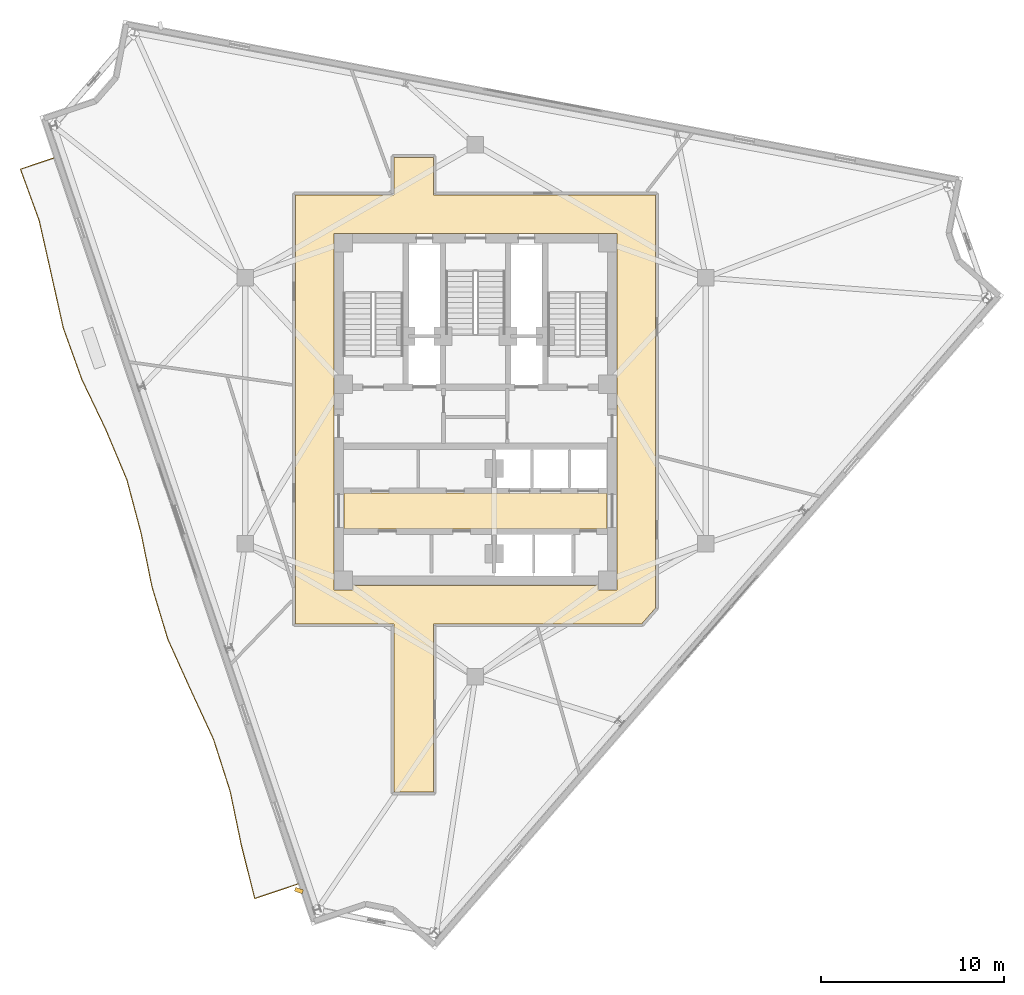
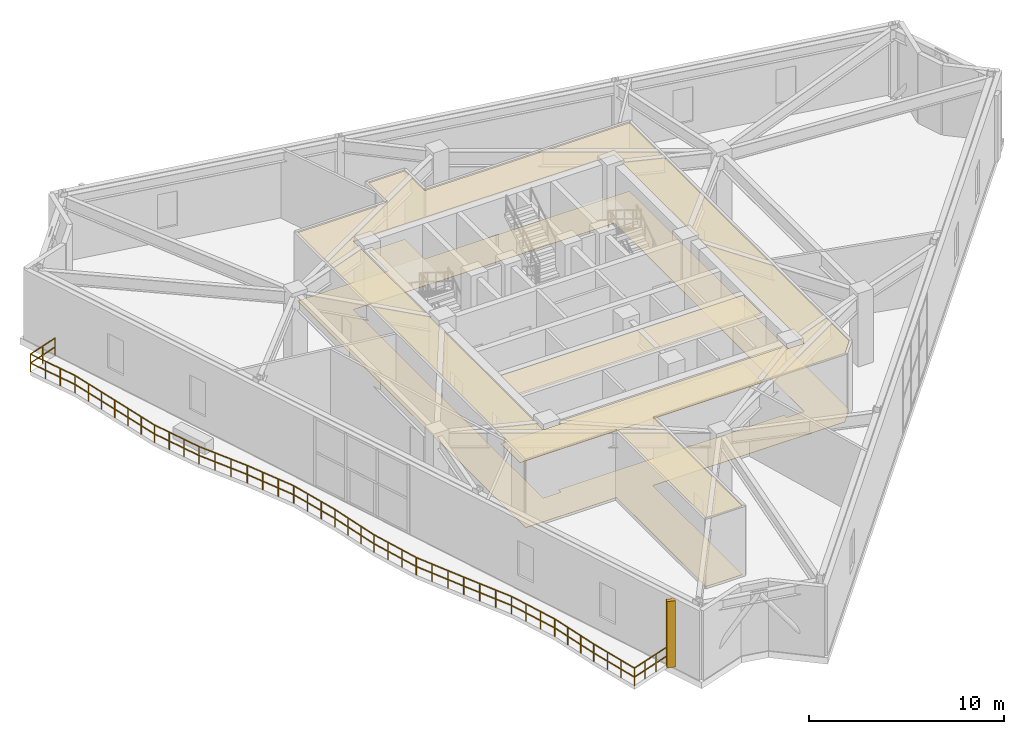
# One storey, part 13 of 15: 4 coverings, 1 railing, 1 shading device.
"""IFC4 building model written with IfcOpenShell, lengths in metres."""

from ifc_helpers import new_model, si_unit, direction, frame, origin, origin_2d, place, context, subcontext, project, spatial, polyline, rectangle, outline, extrude, material, layer, layer_set, type_object, element, save


model = new_model("IFC4")

# Units and contexts
model_context = context("Model", 3, precision=1e-05, world=origin(), true_north=direction((0.0, 1.0)))
body_context = subcontext(model_context, "Body", "Model", "MODEL_VIEW")
ifc_project = project(units=[si_unit("LENGTHUNIT", "METRE"), si_unit("AREAUNIT", "SQUARE_METRE"), si_unit("VOLUMEUNIT", "CUBIC_METRE"), si_unit("PLANEANGLEUNIT", "RADIAN"), si_unit("MASSUNIT", "GRAM", prefix="KILO")], contexts=[model_context])

# Site, building, storey
site_placement = place(None, origin())
site = spatial("IfcSite", under=ifc_project, at=site_placement, CompositionType="ELEMENT")
building_placement = place(site_placement, origin())
building = spatial("IfcBuilding", under=site, at=building_placement, Name="Apsidion Concourse Tower", CompositionType="ELEMENT")
storey_placement = place(building_placement, frame((0.0, 0.0, 260.89990234375)))
storey = spatial("IfcBuildingStorey", under=building, at=storey_placement, Name="L61", CompositionType="ELEMENT", Elevation=260.89990234375)

# Coverings
ifc_material_1 = material(Name="Acoustic mineral fibre ceiling")
ifc_layer_1 = layer(ifc_material_1, 0.0400390625)
ifc_layer_set_1 = layer_set([ifc_layer_1], Name="Acoustic mineral fibre ceiling")
covering_type_1 = type_object("IfcCoveringType", Name="COV-CEIL-40", PredefinedType="CEILING", material=ifc_layer_set_1)
covering_1_placement = place(storey_placement, frame((0.0, 0.0, 4.25)))
element("IfcCovering", 1, at=covering_1_placement, inside=storey, type_object=covering_type_1, Name="L61 Acoustic Ceiling Grid 1", PredefinedType="CEILING", context=body_context, shape_type="SweptSolid", body=[
    extrude(outline(polyline([(-7.179931640625, -6.449951171875), (-7.179931640625, -4.47998046875), (7.179931640625, -4.47998046875), (7.179931640625, -6.449951171875), (-7.179931640625, -6.449951171875)])), origin(), (0.0, 0.0, 1.0), 0.0400390625),
])
covering_2_placement = place(storey_placement, frame((0.0, 0.0, 4.25)))
element("IfcCovering", 2, at=covering_2_placement, inside=storey, type_object=covering_type_1, Name="L61 Acoustic Ceiling Grid 2", PredefinedType="CEILING", context=body_context, shape_type="SweptSolid", body=[
    extrude(outline(polyline([(-9.820068359375, -11.6201171875), (-9.820068359375, 11.77001953125), (-4.449951171875, 11.77001953125), (-4.449951171875, 13.800048828125), (-2.300048828125, 13.800048828125), (-2.300048828125, 11.77001953125), (9.820068359375, 11.77001953125), (9.820068359375, -10.75341796875), (9.06689453125, -11.6201171875), (-2.300048828125, -11.6201171875), (-2.300048828125, -20.800048828125), (-4.449951171875, -20.800048828125), (-4.449951171875, -11.6201171875), (-9.820068359375, -11.6201171875)]), holes=[polyline([(7.699951171875, 9.669921875), (6.699951171875, 9.669921875), (-2.300048828125, 9.669921875), (-4.449951171875, 9.669921875), (-6.699951171875, 9.669921875), (-7.699951171875, 9.669921875), (-7.719970703125, 9.669921875), (-7.719970703125, 9.64990234375), (-7.719970703125, 8.64990234375), (-7.719970703125, 1.949951171875), (-7.719970703125, 0.949951171875), (-7.719970703125, -8.75), (-7.719970703125, -9.52001953125), (-7.719970703125, -9.75), (-7.719970703125, -9.751953125), (-7.719482421875, -9.75390625), (-7.718994140625, -9.755859375), (-7.718505859375, -9.7578125), (-7.717529296875, -9.759521484375), (-7.716552734375, -9.760986328125), (-7.715576171875, -9.7626953125), (-7.714111328125, -9.76416015625), (-7.712646484375, -9.765380859375), (-7.711181640625, -9.7666015625), (-7.70947265625, -9.767578125), (-7.707763671875, -9.7685546875), (-7.705810546875, -9.76904296875), (-7.703857421875, -9.76953125), (-7.701904296875, -9.77001953125), (-7.699951171875, -9.77001953125), (-6.699951171875, -9.77001953125), (-6.697998046875, -9.77001953125), (-6.696044921875, -9.76953125), (-6.694091796875, -9.76904296875), (-6.6923828125, -9.7685546875), (-6.690673828125, -9.767578125), (-6.68896484375, -9.7666015625), (-6.687255859375, -9.765380859375), (-6.685791015625, -9.76416015625), (-6.6845703125, -9.7626953125), (-6.683349609375, -9.760986328125), (-6.682373046875, -9.759521484375), (-6.681396484375, -9.7578125), (-6.680908203125, -9.755859375), (-6.680419921875, -9.75390625), (-6.68017578125, -9.751953125), (-6.679931640625, -9.75), (-6.679931640625, -9.52001953125), (-4.449951171875, -9.52001953125), (-2.300048828125, -9.52001953125), (6.679931640625, -9.52001953125), (6.679931640625, -9.75), (6.68017578125, -9.751953125), (6.680419921875, -9.75390625), (6.680908203125, -9.755859375), (6.681396484375, -9.7578125), (6.682373046875, -9.759521484375), (6.683349609375, -9.760986328125), (6.6845703125, -9.7626953125), (6.685791015625, -9.76416015625), (6.687255859375, -9.765380859375), (6.68896484375, -9.7666015625), (6.690673828125, -9.767578125), (6.6923828125, -9.7685546875), (6.694091796875, -9.76904296875), (6.696044921875, -9.76953125), (6.697998046875, -9.77001953125), (6.699951171875, -9.77001953125), (7.699951171875, -9.77001953125), (7.701904296875, -9.77001953125), (7.703857421875, -9.76953125), (7.705810546875, -9.76904296875), (7.707763671875, -9.7685546875), (7.70947265625, -9.767578125), (7.711181640625, -9.7666015625), (7.712646484375, -9.765380859375), (7.714111328125, -9.76416015625), (7.715576171875, -9.7626953125), (7.716552734375, -9.760986328125), (7.717529296875, -9.759521484375), (7.718505859375, -9.7578125), (7.718994140625, -9.755859375), (7.719482421875, -9.75390625), (7.719970703125, -9.751953125), (7.719970703125, -9.75), (7.719970703125, -9.52001953125), (7.719970703125, -8.75), (7.719970703125, 0.949951171875), (7.719970703125, 1.949951171875), (7.719970703125, 8.64990234375), (7.719970703125, 9.64990234375), (7.719970703125, 9.669921875), (7.699951171875, 9.669921875)])]), origin(), (0.0, 0.0, 1.0), 0.0400390625),
])
ifc_material_2 = material(Name="Honed travertine floor finish", Category="masonry")
ifc_layer_2 = layer(ifc_material_2, 0.02001953125)
ifc_layer_set_2 = layer_set([ifc_layer_2], Name="Honed travertine floor finish")
covering_type_2 = type_object("IfcCoveringType", Name="COV-FLOR-20", PredefinedType="FLOORING", material=ifc_layer_set_2)
covering_3_placement = place(storey_placement, origin())
element("IfcCovering", 3, at=covering_3_placement, inside=storey, type_object=covering_type_2, Name="L61 Honed Travertine Floor Finish 1", PredefinedType="FLOORING", context=body_context, shape_type="SweptSolid", body=[
    extrude(outline(polyline([(-7.179931640625, -6.449951171875), (-7.179931640625, -4.47998046875), (7.179931640625, -4.47998046875), (7.179931640625, -6.449951171875), (-7.179931640625, -6.449951171875)])), origin(), (0.0, 0.0, 1.0), 0.02001953125),
])
covering_4_placement = place(storey_placement, origin())
element("IfcCovering", 4, at=covering_4_placement, inside=storey, type_object=covering_type_2, Name="L61 Honed Travertine Floor Finish 2", PredefinedType="FLOORING", context=body_context, shape_type="SweptSolid", body=[
    extrude(outline(polyline([(-9.820068359375, -11.6201171875), (-9.820068359375, 11.77001953125), (-4.449951171875, 11.77001953125), (-4.449951171875, 13.800048828125), (-2.300048828125, 13.800048828125), (-2.300048828125, 11.77001953125), (9.820068359375, 11.77001953125), (9.820068359375, -10.75341796875), (9.06689453125, -11.6201171875), (-2.300048828125, -11.6201171875), (-2.300048828125, -20.800048828125), (-4.449951171875, -20.800048828125), (-4.449951171875, -11.6201171875), (-9.820068359375, -11.6201171875)]), holes=[polyline([(7.699951171875, 9.669921875), (6.699951171875, 9.669921875), (-2.300048828125, 9.669921875), (-4.449951171875, 9.669921875), (-6.699951171875, 9.669921875), (-7.699951171875, 9.669921875), (-7.719970703125, 9.669921875), (-7.719970703125, 9.64990234375), (-7.719970703125, 8.64990234375), (-7.719970703125, 1.949951171875), (-7.719970703125, 0.949951171875), (-7.719970703125, -8.75), (-7.719970703125, -9.52001953125), (-7.719970703125, -9.75), (-7.719970703125, -9.751953125), (-7.719482421875, -9.75390625), (-7.718994140625, -9.755859375), (-7.718505859375, -9.7578125), (-7.717529296875, -9.759521484375), (-7.716552734375, -9.760986328125), (-7.715576171875, -9.7626953125), (-7.714111328125, -9.76416015625), (-7.712646484375, -9.765380859375), (-7.711181640625, -9.7666015625), (-7.70947265625, -9.767578125), (-7.707763671875, -9.7685546875), (-7.705810546875, -9.76904296875), (-7.703857421875, -9.76953125), (-7.701904296875, -9.77001953125), (-7.699951171875, -9.77001953125), (-6.699951171875, -9.77001953125), (-6.697998046875, -9.77001953125), (-6.696044921875, -9.76953125), (-6.694091796875, -9.76904296875), (-6.6923828125, -9.7685546875), (-6.690673828125, -9.767578125), (-6.68896484375, -9.7666015625), (-6.687255859375, -9.765380859375), (-6.685791015625, -9.76416015625), (-6.6845703125, -9.7626953125), (-6.683349609375, -9.760986328125), (-6.682373046875, -9.759521484375), (-6.681396484375, -9.7578125), (-6.680908203125, -9.755859375), (-6.680419921875, -9.75390625), (-6.68017578125, -9.751953125), (-6.679931640625, -9.75), (-6.679931640625, -9.52001953125), (-4.449951171875, -9.52001953125), (-2.300048828125, -9.52001953125), (6.679931640625, -9.52001953125), (6.679931640625, -9.75), (6.68017578125, -9.751953125), (6.680419921875, -9.75390625), (6.680908203125, -9.755859375), (6.681396484375, -9.7578125), (6.682373046875, -9.759521484375), (6.683349609375, -9.760986328125), (6.6845703125, -9.7626953125), (6.685791015625, -9.76416015625), (6.687255859375, -9.765380859375), (6.68896484375, -9.7666015625), (6.690673828125, -9.767578125), (6.6923828125, -9.7685546875), (6.694091796875, -9.76904296875), (6.696044921875, -9.76953125), (6.697998046875, -9.77001953125), (6.699951171875, -9.77001953125), (7.699951171875, -9.77001953125), (7.701904296875, -9.77001953125), (7.703857421875, -9.76953125), (7.705810546875, -9.76904296875), (7.707763671875, -9.7685546875), (7.70947265625, -9.767578125), (7.711181640625, -9.7666015625), (7.712646484375, -9.765380859375), (7.714111328125, -9.76416015625), (7.715576171875, -9.7626953125), (7.716552734375, -9.760986328125), (7.717529296875, -9.759521484375), (7.718505859375, -9.7578125), (7.718994140625, -9.755859375), (7.719482421875, -9.75390625), (7.719970703125, -9.751953125), (7.719970703125, -9.75), (7.719970703125, -9.52001953125), (7.719970703125, -8.75), (7.719970703125, 0.949951171875), (7.719970703125, 1.949951171875), (7.719970703125, 8.64990234375), (7.719970703125, 9.64990234375), (7.719970703125, 9.669921875), (7.699951171875, 9.669921875)])]), origin(), (0.0, 0.0, 1.0), 0.02001953125),
])

# Railing
ifc_material_3 = material(Name="Brushed stainless steel 316", Category="steel")
railing_type = type_object("IfcRailingType", Name="RL-BAL-1120", PredefinedType="BALUSTRADE", material=ifc_material_3)
railing_placement = place(storey_placement, frame((-9.681396484375, -25.806884765625, 0.0)))
element("IfcRailing", 5, at=railing_placement, inside=storey, type_object=railing_type, Name="L61 Face 1 Spiral Terrace Balustrade", PredefinedType="BALUSTRADE", context=body_context, shape_type="SweptSolid", body=[
    extrude(rectangle(XDim=0.048095703125, YDim=0.048095703125, at=origin_2d()), frame((0.0, 0.0, 1.09619140625), z_axis=(-0.947786021903, -0.318906971837, 0.0), x_axis=(0.318906971837, -0.947786021903, 0.0)), (0.0, 0.0, 1.0), 2.486572265625),
    extrude(rectangle(XDim=0.048095703125, YDim=0.048095703125, at=origin_2d()), frame((0.0, 0.0, 0.5361328125), z_axis=(-0.947786021903, -0.318906971837, 0.0), x_axis=(0.318906971837, -0.947786021903, 0.0)), (0.0, 0.0, 1.0), 2.486572265625),
    extrude(rectangle(XDim=0.048095703125, YDim=0.048095703125, at=origin_2d()), frame((-2.356689453125, -0.79296875, 1.09619140625), z_axis=(-0.243610468159, 0.969873156554, 0.0), x_axis=(-0.969873156554, -0.243610468159, 0.0)), (0.0, 0.0, 1.0), 2.992431640625),
    extrude(rectangle(XDim=0.048095703125, YDim=0.048095703125, at=origin_2d()), frame((-2.356689453125, -0.79296875, 0.5361328125), z_axis=(-0.243610468159, 0.969873156554, 0.0), x_axis=(-0.969873156554, -0.243610468159, 0.0)), (0.0, 0.0, 1.0), 2.992431640625),
    extrude(rectangle(XDim=0.048095703125, YDim=0.048095703125, at=origin_2d()), frame((-3.085693359375, 2.109375, 1.09619140625), z_axis=(-0.203314939659, 0.979113392469, 0.0), x_axis=(-0.979113392469, -0.203314939659, 0.0)), (0.0, 0.0, 1.0), 3.00439453125),
    extrude(rectangle(XDim=0.048095703125, YDim=0.048095703125, at=origin_2d()), frame((-3.085693359375, 2.109375, 0.5361328125), z_axis=(-0.203314939659, 0.979113392469, 0.0), x_axis=(-0.979113392469, -0.203314939659, 0.0)), (0.0, 0.0, 1.0), 3.00439453125),
    extrude(rectangle(XDim=0.048095703125, YDim=0.048095703125, at=origin_2d()), frame((-3.696533203125, 5.051025390625, 1.09619140625), z_axis=(-0.304665861617, 0.95245929717, 0.0), x_axis=(-0.95245929717, -0.304665861617, 0.0)), (0.0, 0.0, 1.0), 2.9833984375),
    extrude(rectangle(XDim=0.048095703125, YDim=0.048095703125, at=origin_2d()), frame((-3.696533203125, 5.051025390625, 0.5361328125), z_axis=(-0.304665861617, 0.95245929717, 0.0), x_axis=(-0.95245929717, -0.304665861617, 0.0)), (0.0, 0.0, 1.0), 2.9833984375),
    extrude(rectangle(XDim=0.048095703125, YDim=0.048095703125, at=origin_2d()), frame((-4.60546875, 7.892578125, 1.09619140625), z_axis=(-0.419501847325, 0.907754482275, 0.0), x_axis=(-0.907754482275, -0.419501847325, 0.0)), (0.0, 0.0, 1.0), 3.000732421875),
    extrude(rectangle(XDim=0.048095703125, YDim=0.048095703125, at=origin_2d()), frame((-4.60546875, 7.892578125, 0.5361328125), z_axis=(-0.419501847325, 0.907754482275, 0.0), x_axis=(-0.907754482275, -0.419501847325, 0.0)), (0.0, 0.0, 1.0), 3.000732421875),
    extrude(rectangle(XDim=0.048095703125, YDim=0.048095703125, at=origin_2d()), frame((-5.8642578125, 10.616455078125, 1.09619140625), z_axis=(-0.411187369579, 0.911550847237, 0.0), x_axis=(-0.911550847237, -0.411187369579, 0.0)), (0.0, 0.0, 1.0), 2.997802734375),
    extrude(rectangle(XDim=0.048095703125, YDim=0.048095703125, at=origin_2d()), frame((-5.8642578125, 10.616455078125, 0.5361328125), z_axis=(-0.411187369579, 0.911550847237, 0.0), x_axis=(-0.911550847237, -0.411187369579, 0.0)), (0.0, 0.0, 1.0), 2.997802734375),
    extrude(rectangle(XDim=0.048095703125, YDim=0.048095703125, at=origin_2d()), frame((-7.096923828125, 13.34912109375, 1.09619140625), z_axis=(-0.289080973207, 0.957304648965, 0.0), x_axis=(-0.957304648965, -0.289080973207, 0.0)), (0.0, 0.0, 1.0), 2.984619140625),
    extrude(rectangle(XDim=0.048095703125, YDim=0.048095703125, at=origin_2d()), frame((-7.096923828125, 13.34912109375, 0.5361328125), z_axis=(-0.289080973207, 0.957304648965, 0.0), x_axis=(-0.957304648965, -0.289080973207, 0.0)), (0.0, 0.0, 1.0), 2.984619140625),
    extrude(rectangle(XDim=0.048095703125, YDim=0.048095703125, at=origin_2d()), frame((-7.959716796875, 16.206298828125, 1.09619140625), z_axis=(-0.199894765228, 0.979817372184, 0.0), x_axis=(-0.979817372184, -0.199894765228, 0.0)), (0.0, 0.0, 1.0), 3.005615234375),
    extrude(rectangle(XDim=0.048095703125, YDim=0.048095703125, at=origin_2d()), frame((-7.959716796875, 16.206298828125, 0.5361328125), z_axis=(-0.199894765228, 0.979817372184, 0.0), x_axis=(-0.979817372184, -0.199894765228, 0.0)), (0.0, 0.0, 1.0), 3.005615234375),
    extrude(rectangle(XDim=0.048095703125, YDim=0.048095703125, at=origin_2d()), frame((-8.560546875, 19.1513671875, 1.09619140625), z_axis=(-0.256767906757, 0.966473094328, 0.0), x_axis=(-0.966473094328, -0.256767906757, 0.0)), (0.0, 0.0, 1.0), 2.989501953125),
    extrude(rectangle(XDim=0.048095703125, YDim=0.048095703125, at=origin_2d()), frame((-8.560546875, 19.1513671875, 0.5361328125), z_axis=(-0.256767906757, 0.966473094328, 0.0), x_axis=(-0.966473094328, -0.256767906757, 0.0)), (0.0, 0.0, 1.0), 2.989501953125),
    extrude(rectangle(XDim=0.048095703125, YDim=0.048095703125, at=origin_2d()), frame((-9.328125, 22.04052734375, 1.09619140625), z_axis=(-0.387378183596, 0.921920898382, 0.0), x_axis=(-0.921920898382, -0.387378183596, 0.0)), (0.0, 0.0, 1.0), 2.9912109375),
    extrude(rectangle(XDim=0.048095703125, YDim=0.048095703125, at=origin_2d()), frame((-9.328125, 22.04052734375, 0.5361328125), z_axis=(-0.387378183596, 0.921920898382, 0.0), x_axis=(-0.921920898382, -0.387378183596, 0.0)), (0.0, 0.0, 1.0), 2.9912109375),
    extrude(rectangle(XDim=0.048095703125, YDim=0.048095703125, at=origin_2d()), frame((-10.48681640625, 24.798095703125, 1.09619140625), z_axis=(-0.431383629909, 0.902168589481, 0.0), x_axis=(-0.902168589481, -0.431383629909, 0.0)), (0.0, 0.0, 1.0), 3.005126953125),
    extrude(rectangle(XDim=0.048095703125, YDim=0.048095703125, at=origin_2d()), frame((-10.48681640625, 24.798095703125, 0.5361328125), z_axis=(-0.431383629909, 0.902168589481, 0.0), x_axis=(-0.902168589481, -0.431383629909, 0.0)), (0.0, 0.0, 1.0), 3.005126953125),
    extrude(rectangle(XDim=0.048095703125, YDim=0.048095703125, at=origin_2d()), frame((-11.783203125, 27.50927734375, 1.09619140625), z_axis=(-0.339258363996, 0.940693235045, 0.0), x_axis=(-0.940693235045, -0.339258363996, 0.0)), (0.0, 0.0, 1.0), 2.983642578125),
    extrude(rectangle(XDim=0.048095703125, YDim=0.048095703125, at=origin_2d()), frame((-11.783203125, 27.50927734375, 0.5361328125), z_axis=(-0.339258363996, 0.940693235045, 0.0), x_axis=(-0.940693235045, -0.339258363996, 0.0)), (0.0, 0.0, 1.0), 2.983642578125),
    extrude(rectangle(XDim=0.048095703125, YDim=0.048095703125, at=origin_2d()), frame((-12.79541015625, 30.31591796875, 1.09619140625), z_axis=(-0.217886951543, 0.975974014176, 0.0), x_axis=(-0.975974014176, -0.217886951543, 0.0)), (0.0, 0.0, 1.0), 2.99951171875),
    extrude(rectangle(XDim=0.048095703125, YDim=0.048095703125, at=origin_2d()), frame((-12.79541015625, 30.31591796875, 0.5361328125), z_axis=(-0.217886951543, 0.975974014176, 0.0), x_axis=(-0.975974014176, -0.217886951543, 0.0)), (0.0, 0.0, 1.0), 2.99951171875),
    extrude(rectangle(XDim=0.048095703125, YDim=0.048095703125, at=origin_2d()), frame((-13.448974609375, 33.243408203125, 1.09619140625), z_axis=(-0.219636168363, 0.975581853842, 0.0), x_axis=(-0.975581853842, -0.219636168363, 0.0)), (0.0, 0.0, 1.0), 2.9990234375),
    extrude(rectangle(XDim=0.048095703125, YDim=0.048095703125, at=origin_2d()), frame((-13.448974609375, 33.243408203125, 0.5361328125), z_axis=(-0.219636168363, 0.975581853842, 0.0), x_axis=(-0.975581853842, -0.219636168363, 0.0)), (0.0, 0.0, 1.0), 2.9990234375),
    extrude(rectangle(XDim=0.048095703125, YDim=0.048095703125, at=origin_2d()), frame((-14.107666015625, 36.169189453125, 1.09619140625), z_axis=(-0.342393316264, 0.939556713018, 0.0), x_axis=(-0.939556713018, -0.342393316264, 0.0)), (0.0, 0.0, 1.0), 2.984130859375),
    extrude(rectangle(XDim=0.048095703125, YDim=0.048095703125, at=origin_2d()), frame((-14.107666015625, 36.169189453125, 0.5361328125), z_axis=(-0.342393316264, 0.939556713018, 0.0), x_axis=(-0.939556713018, -0.342393316264, 0.0)), (0.0, 0.0, 1.0), 2.984130859375),
    extrude(rectangle(XDim=0.048095703125, YDim=0.048095703125, at=origin_2d()), frame((-15.12939453125, 38.972900390625, 1.09619140625), z_axis=(0.947798117847, 0.318871020642, 0.0), x_axis=(-0.318871020642, 0.947798117847, 0.0)), (0.0, 0.0, 1.0), 1.9111328125),
    extrude(rectangle(XDim=0.048095703125, YDim=0.048095703125, at=origin_2d()), frame((-15.12939453125, 38.972900390625, 0.5361328125), z_axis=(0.947798117847, 0.318871020642, 0.0), x_axis=(-0.318871020642, 0.947798117847, 0.0)), (0.0, 0.0, 1.0), 1.9111328125),
    extrude(rectangle(XDim=0.0419921875, YDim=0.0419921875, at=origin_2d()), origin(), (0.0, 0.0, 1.0), 1.072021484375),
    extrude(rectangle(XDim=0.0419921875, YDim=0.0419921875, at=origin_2d()), frame((-0.78564453125, -0.264404296875, 0.0)), (0.0, 0.0, 1.0), 1.072021484375),
    extrude(rectangle(XDim=0.0419921875, YDim=0.0419921875, at=origin_2d()), frame((-1.571044921875, -0.528564453125, 0.0)), (0.0, 0.0, 1.0), 1.072021484375),
    extrude(rectangle(XDim=0.0419921875, YDim=0.0419921875, at=origin_2d()), frame((-2.356689453125, -0.79296875, 0.0)), (0.0, 0.0, 1.0), 1.072021484375),
    extrude(rectangle(XDim=0.0419921875, YDim=0.0419921875, at=origin_2d()), frame((-2.599609375, 0.174560546875, 0.0)), (0.0, 0.0, 1.0), 1.072021484375),
    extrude(rectangle(XDim=0.0419921875, YDim=0.0419921875, at=origin_2d()), frame((-2.8427734375, 1.141845703125, 0.0)), (0.0, 0.0, 1.0), 1.072021484375),
    extrude(rectangle(XDim=0.0419921875, YDim=0.0419921875, at=origin_2d()), frame((-3.085693359375, 2.109375, 0.0)), (0.0, 0.0, 1.0), 1.072021484375),
    extrude(rectangle(XDim=0.0419921875, YDim=0.0419921875, at=origin_2d()), frame((-3.289306640625, 3.08984375, 0.0)), (0.0, 0.0, 1.0), 1.072021484375),
    extrude(rectangle(XDim=0.0419921875, YDim=0.0419921875, at=origin_2d()), frame((-3.492919921875, 4.070556640625, 0.0)), (0.0, 0.0, 1.0), 1.072021484375),
    extrude(rectangle(XDim=0.0419921875, YDim=0.0419921875, at=origin_2d()), frame((-3.696533203125, 5.051025390625, 0.0)), (0.0, 0.0, 1.0), 1.072021484375),
    extrude(rectangle(XDim=0.0419921875, YDim=0.0419921875, at=origin_2d()), frame((-3.99951171875, 5.998291015625, 0.0)), (0.0, 0.0, 1.0), 1.072021484375),
    extrude(rectangle(XDim=0.0419921875, YDim=0.0419921875, at=origin_2d()), frame((-4.302490234375, 6.9453125, 0.0)), (0.0, 0.0, 1.0), 1.072021484375),
    extrude(rectangle(XDim=0.0419921875, YDim=0.0419921875, at=origin_2d()), frame((-4.60546875, 7.892578125, 0.0)), (0.0, 0.0, 1.0), 1.072021484375),
    extrude(rectangle(XDim=0.0419921875, YDim=0.0419921875, at=origin_2d()), frame((-5.025146484375, 8.800537109375, 0.0)), (0.0, 0.0, 1.0), 1.072021484375),
    extrude(rectangle(XDim=0.0419921875, YDim=0.0419921875, at=origin_2d()), frame((-5.444580078125, 9.70849609375, 0.0)), (0.0, 0.0, 1.0), 1.072021484375),
    extrude(rectangle(XDim=0.0419921875, YDim=0.0419921875, at=origin_2d()), frame((-5.8642578125, 10.616455078125, 0.0)), (0.0, 0.0, 1.0), 1.072021484375),
    extrude(rectangle(XDim=0.0419921875, YDim=0.0419921875, at=origin_2d()), frame((-6.275146484375, 11.52734375, 0.0)), (0.0, 0.0, 1.0), 1.072021484375),
    extrude(rectangle(XDim=0.0419921875, YDim=0.0419921875, at=origin_2d()), frame((-6.68603515625, 12.438232421875, 0.0)), (0.0, 0.0, 1.0), 1.072021484375),
    extrude(rectangle(XDim=0.0419921875, YDim=0.0419921875, at=origin_2d()), frame((-7.096923828125, 13.34912109375, 0.0)), (0.0, 0.0, 1.0), 1.072021484375),
    extrude(rectangle(XDim=0.0419921875, YDim=0.0419921875, at=origin_2d()), frame((-7.384521484375, 14.301513671875, 0.0)), (0.0, 0.0, 1.0), 1.072021484375),
    extrude(rectangle(XDim=0.0419921875, YDim=0.0419921875, at=origin_2d()), frame((-7.672119140625, 15.25390625, 0.0)), (0.0, 0.0, 1.0), 1.072021484375),
    extrude(rectangle(XDim=0.0419921875, YDim=0.0419921875, at=origin_2d()), frame((-7.959716796875, 16.206298828125, 0.0)), (0.0, 0.0, 1.0), 1.072021484375),
    extrude(rectangle(XDim=0.0419921875, YDim=0.0419921875, at=origin_2d()), frame((-8.159912109375, 17.18798828125, 0.0)), (0.0, 0.0, 1.0), 1.072021484375),
    extrude(rectangle(XDim=0.0419921875, YDim=0.0419921875, at=origin_2d()), frame((-8.3603515625, 18.169677734375, 0.0)), (0.0, 0.0, 1.0), 1.072021484375),
    extrude(rectangle(XDim=0.0419921875, YDim=0.0419921875, at=origin_2d()), frame((-8.560546875, 19.1513671875, 0.0)), (0.0, 0.0, 1.0), 1.072021484375),
    extrude(rectangle(XDim=0.0419921875, YDim=0.0419921875, at=origin_2d()), frame((-8.81640625, 20.114501953125, 0.0)), (0.0, 0.0, 1.0), 1.072021484375),
    extrude(rectangle(XDim=0.0419921875, YDim=0.0419921875, at=origin_2d()), frame((-9.072265625, 21.077392578125, 0.0)), (0.0, 0.0, 1.0), 1.072021484375),
    extrude(rectangle(XDim=0.0419921875, YDim=0.0419921875, at=origin_2d()), frame((-9.328125, 22.04052734375, 0.0)), (0.0, 0.0, 1.0), 1.072021484375),
    extrude(rectangle(XDim=0.0419921875, YDim=0.0419921875, at=origin_2d()), frame((-9.71435546875, 22.959716796875, 0.0)), (0.0, 0.0, 1.0), 1.072021484375),
    extrude(rectangle(XDim=0.0419921875, YDim=0.0419921875, at=origin_2d()), frame((-10.1005859375, 23.87890625, 0.0)), (0.0, 0.0, 1.0), 1.072021484375),
    extrude(rectangle(XDim=0.0419921875, YDim=0.0419921875, at=origin_2d()), frame((-10.48681640625, 24.798095703125, 0.0)), (0.0, 0.0, 1.0), 1.072021484375),
    extrude(rectangle(XDim=0.0419921875, YDim=0.0419921875, at=origin_2d()), frame((-10.9189453125, 25.701904296875, 0.0)), (0.0, 0.0, 1.0), 1.072021484375),
    extrude(rectangle(XDim=0.0419921875, YDim=0.0419921875, at=origin_2d()), frame((-11.35107421875, 26.60546875, 0.0)), (0.0, 0.0, 1.0), 1.072021484375),
    extrude(rectangle(XDim=0.0419921875, YDim=0.0419921875, at=origin_2d()), frame((-11.783203125, 27.50927734375, 0.0)), (0.0, 0.0, 1.0), 1.072021484375),
    extrude(rectangle(XDim=0.0419921875, YDim=0.0419921875, at=origin_2d()), frame((-12.12060546875, 28.44482421875, 0.0)), (0.0, 0.0, 1.0), 1.072021484375),
    extrude(rectangle(XDim=0.0419921875, YDim=0.0419921875, at=origin_2d()), frame((-12.4580078125, 29.38037109375, 0.0)), (0.0, 0.0, 1.0), 1.072021484375),
    extrude(rectangle(XDim=0.0419921875, YDim=0.0419921875, at=origin_2d()), frame((-12.79541015625, 30.31591796875, 0.0)), (0.0, 0.0, 1.0), 1.072021484375),
    extrude(rectangle(XDim=0.0419921875, YDim=0.0419921875, at=origin_2d()), frame((-13.01318359375, 31.291748046875, 0.0)), (0.0, 0.0, 1.0), 1.072021484375),
    extrude(rectangle(XDim=0.0419921875, YDim=0.0419921875, at=origin_2d()), frame((-13.231201171875, 32.267578125, 0.0)), (0.0, 0.0, 1.0), 1.072021484375),
    extrude(rectangle(XDim=0.0419921875, YDim=0.0419921875, at=origin_2d()), frame((-13.448974609375, 33.243408203125, 0.0)), (0.0, 0.0, 1.0), 1.072021484375),
    extrude(rectangle(XDim=0.0419921875, YDim=0.0419921875, at=origin_2d()), frame((-13.66845703125, 34.21875, 0.0)), (0.0, 0.0, 1.0), 1.072021484375),
    extrude(rectangle(XDim=0.0419921875, YDim=0.0419921875, at=origin_2d()), frame((-13.88818359375, 35.19384765625, 0.0)), (0.0, 0.0, 1.0), 1.072021484375),
    extrude(rectangle(XDim=0.0419921875, YDim=0.0419921875, at=origin_2d()), frame((-14.107666015625, 36.169189453125, 0.0)), (0.0, 0.0, 1.0), 1.072021484375),
    extrude(rectangle(XDim=0.0419921875, YDim=0.0419921875, at=origin_2d()), frame((-14.4482421875, 37.103759765625, 0.0)), (0.0, 0.0, 1.0), 1.072021484375),
    extrude(rectangle(XDim=0.0419921875, YDim=0.0419921875, at=origin_2d()), frame((-14.788818359375, 38.038330078125, 0.0)), (0.0, 0.0, 1.0), 1.072021484375),
    extrude(rectangle(XDim=0.0419921875, YDim=0.0419921875, at=origin_2d()), frame((-15.12939453125, 38.972900390625, 0.0)), (0.0, 0.0, 1.0), 1.072021484375),
    extrude(rectangle(XDim=0.0419921875, YDim=0.0419921875, at=origin_2d()), frame((-14.2236328125, 39.277587890625, 0.0)), (0.0, 0.0, 1.0), 1.072021484375),
    extrude(rectangle(XDim=0.0419921875, YDim=0.0419921875, at=origin_2d()), frame((-13.318115234375, 39.582275390625, 0.0)), (0.0, 0.0, 1.0), 1.072021484375),
])

# Shading device
ifc_material_4 = material(Name="Anodised aluminium EN AW-6063 T6", Category="aluminium")
shading_device_type = type_object("IfcShadingDeviceType", Name="SH-FIN-STONE", PredefinedType="USERDEFINED", material=ifc_material_4)
shading_device_placement = place(storey_placement, frame((-9.62548828125, -26.160888671875, 0.10009765625), z_axis=(0.0, 0.0, 1.0), x_axis=(-0.318959309298, -0.94776841001, 0.0)))
element("IfcShadingDevice", 6, at=shading_device_placement, inside=storey, type_object=shading_device_type, Name="L61 Facade Vertical Solar Fin 9", ObjectType="FIN", PredefinedType="USERDEFINED", context=body_context, shape_type="SweptSolid", body=[
    extrude(rectangle(XDim=0.219970703125, YDim=0.449951171875, at=origin_2d()), origin(), (0.0, 0.0, 1.0), 4.14990234375),
])

save(model, "model.ifc")
